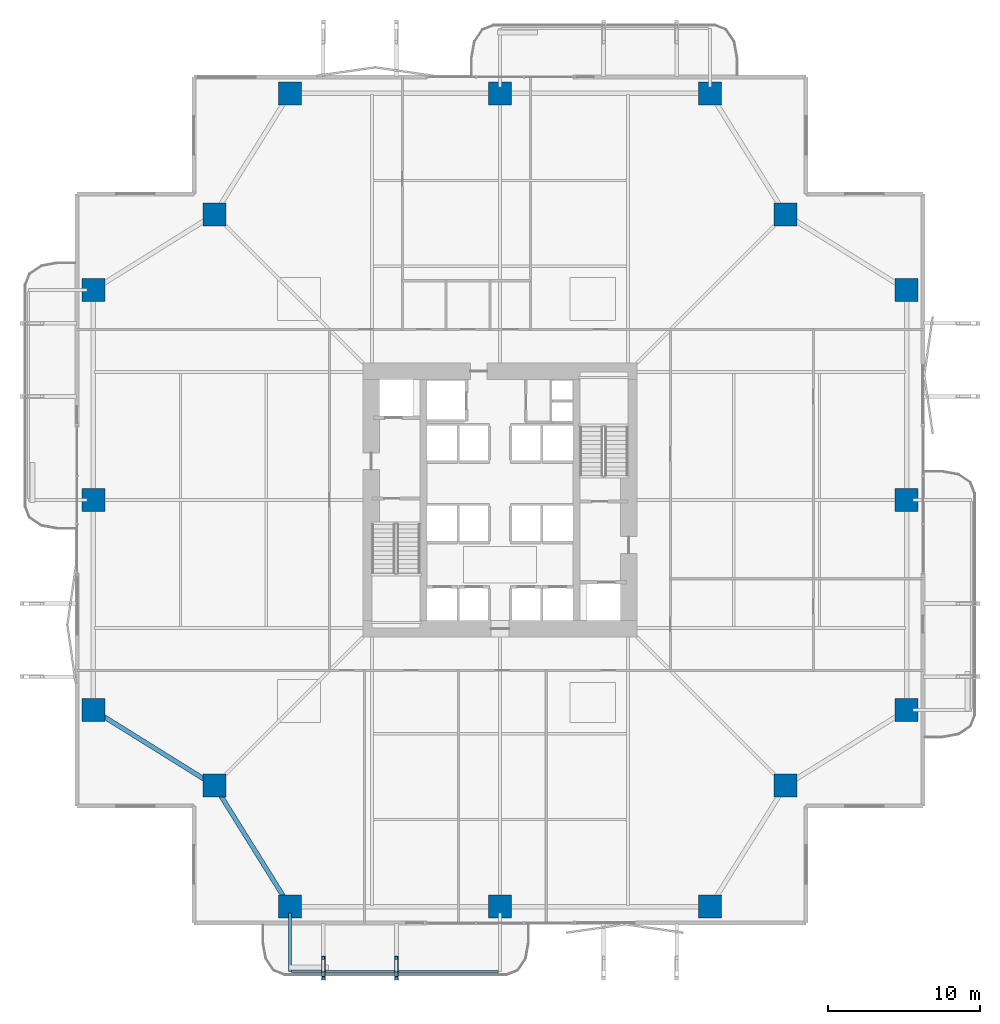
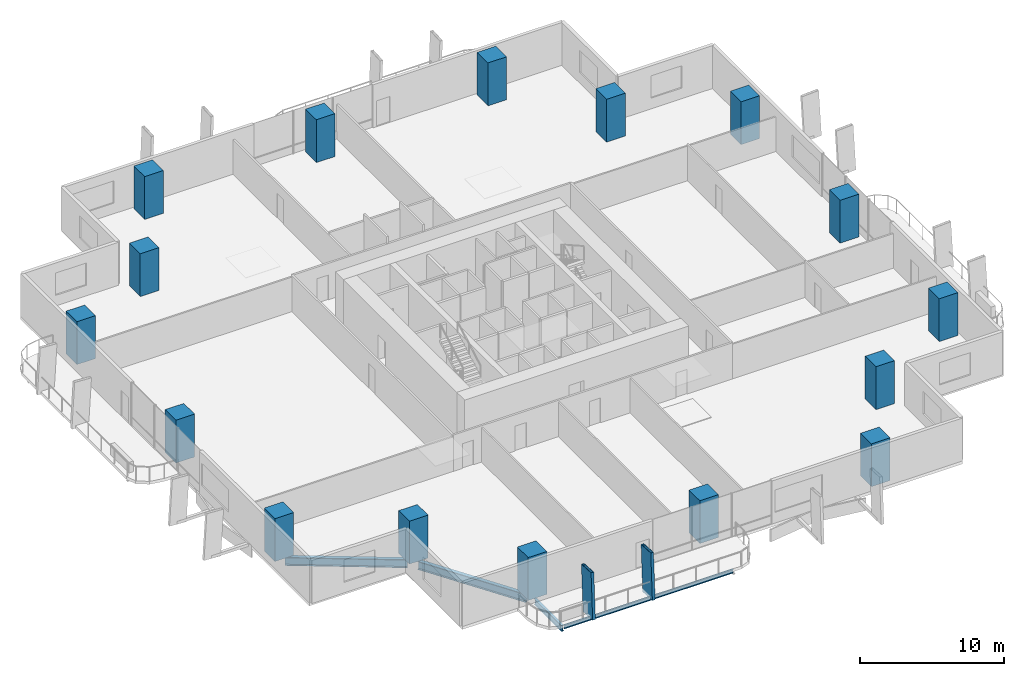
# One storey, part 1 of 23: 16 columns, 4 beams, 2 members.
"""IFC4 building model written with IfcOpenShell, lengths in metres."""

import ifcopenshell
import ifcopenshell.guid

model = None  # the IFC model being written
_history = None  # IfcOwnerHistory: only IFC2X3 demands one
_inside = {}  # id of a spatial element -> (the spatial element, [elements in it])
_under = {}  # id of a project, library or spatial element -> (it, [spatial elements below it])
_declared = {}  # id of a project -> (the project, [libraries it declares])
_typed = {}  # id of a type object -> (the type object, [elements of that type])
_made_of = {}  # id of a material, layer set ... -> (it, [elements and type objects made of it])


def new_model(schema):
    """Start an empty IFC model of exactly this schema.

    Asked for "IFC4X3", IfcOpenShell would pick the latest addendum, in which some entities
    have other attributes; the version numbers below select the first issue.
    IFC2X3 requires an IfcOwnerHistory on every rooted entity: one is made here for all.
    """
    global model, _history
    if schema == "IFC4X3":
        model = ifcopenshell.file(schema_version=(4, 3, 0, 0))
    else:
        model = ifcopenshell.file(schema=schema)
    _inside.clear()
    _under.clear()
    _declared.clear()
    _typed.clear()
    _made_of.clear()
    _history = None
    if model.schema == "IFC2X3":
        org = make("IfcOrganization", Name="unknown")
        user = make(
            "IfcPersonAndOrganization",
            ThePerson=make("IfcPerson", FamilyName="unknown"),
            TheOrganization=org,
        )
        app = make(
            "IfcApplication",
            ApplicationDeveloper=org,
            Version="unknown",
            ApplicationFullName="unknown",
            ApplicationIdentifier="unknown",
        )
        _history = make(
            "IfcOwnerHistory",
            OwningUser=user,
            OwningApplication=app,
            ChangeAction="ADDED",
            CreationDate=0,
        )
    return model


def make(cls, **values):
    """One entity of the class cls with the attributes given. An attribute that is None is left unset."""
    return model.create_entity(
        cls, **{name: value for name, value in values.items() if value is not None}
    )


def rooted(cls, **values):
    """An entity with a GlobalId (a new one), such as an element, a storey or a relation."""
    return make(cls, GlobalId=ifcopenshell.guid.new(), OwnerHistory=_history, **values)


def si_unit(unit_type, name, prefix=None):
    """IfcSIUnit, for example si_unit("LENGTHUNIT", "METRE", prefix="MILLI")."""
    return make("IfcSIUnit", UnitType=unit_type, Prefix=prefix, Name=name)


def assignment(units):
    """IfcUnitAssignment: the units of a project."""
    return None if units is None else make("IfcUnitAssignment", Units=units)


def point(xyz):
    """IfcCartesianPoint."""
    return None if xyz is None else make("IfcCartesianPoint", Coordinates=xyz)


def direction(xyz):
    """IfcDirection."""
    return None if xyz is None else make("IfcDirection", DirectionRatios=xyz)


def frame(location, z_axis=None, x_axis=None):
    """IfcAxis2Placement3D, a coordinate frame: its origin and axes. An axis left out is left unset."""
    return make(
        "IfcAxis2Placement3D",
        Location=point(location),
        Axis=direction(z_axis),
        RefDirection=direction(x_axis),
    )


def frame_2d(location, x_axis=None):
    """IfcAxis2Placement2D, a coordinate frame in the plane: its origin and x axis."""
    return make(
        "IfcAxis2Placement2D", Location=point(location), RefDirection=direction(x_axis)
    )


def origin():
    """The frame at (0, 0, 0) with its axes left unset."""
    return frame((0.0, 0.0, 0.0))


def origin_2d():
    """The frame at (0, 0) in the plane with its x axis left unset."""
    return frame_2d((0.0, 0.0))


def place(relative_to, where):
    """IfcLocalPlacement: puts the frame where relative to a parent placement (None: the world)."""
    return make(
        "IfcLocalPlacement", PlacementRelTo=relative_to, RelativePlacement=where
    )


def context(
    kind, dimensions, precision=None, world=None, true_north=None, identifier=None
):
    """IfcGeometricRepresentationContext, for example the 3D "Model" context."""
    return make(
        "IfcGeometricRepresentationContext",
        ContextIdentifier=identifier,
        ContextType=kind,
        CoordinateSpaceDimension=dimensions,
        Precision=precision,
        WorldCoordinateSystem=world,
        TrueNorth=true_north,
    )


def subcontext(parent, identifier, kind, view, scale=None):
    """IfcGeometricRepresentationSubContext, for example "Body" below "Model"."""
    return make(
        "IfcGeometricRepresentationSubContext",
        ContextIdentifier=identifier,
        ContextType=kind,
        ParentContext=parent,
        TargetScale=scale,
        TargetView=view,
    )


def project(units=None, contexts=None):
    """IfcProject with its units and contexts."""
    return rooted(
        "IfcProject",
        Name="project",
        RepresentationContexts=contexts,
        UnitsInContext=assignment(units),
    )


def spatial(cls, under=None, at=None, **own):
    """A site, building, storey or space (cls), placed at a placement, below another one or the project."""
    s = rooted(cls, ObjectPlacement=at, **own)
    if under is not None:
        _under.setdefault(under.id(), (under, []))[1].append(s)
    return s


def profile(cls, at=None, kind="AREA", **sizes):
    """A parametric profile (cls). Its sizes go by their IFC names, for example OverallWidth=200.0."""
    return make(cls, ProfileType=kind, Position=at, **sizes)


def rectangle(**sizes):
    """IfcRectangleProfileDef."""
    return profile("IfcRectangleProfileDef", **sizes)


def hollow_rectangle(**sizes):
    """IfcRectangleHollowProfileDef."""
    return profile("IfcRectangleHollowProfileDef", **sizes)


def i_section(**sizes):
    """IfcIShapeProfileDef."""
    return profile("IfcIShapeProfileDef", **sizes)


def extrude(swept, where, along, depth):
    """IfcExtrudedAreaSolid: the profile swept, set in the frame where, extruded along a direction by depth."""
    return make(
        "IfcExtrudedAreaSolid",
        SweptArea=swept,
        Position=where,
        ExtrudedDirection=direction(along),
        Depth=depth,
    )


def shape(context_of_items, identifier, shape_type, items):
    """IfcShapeRepresentation: the items that make up one representation, for example the "Body"."""
    return make(
        "IfcShapeRepresentation",
        ContextOfItems=context_of_items,
        RepresentationIdentifier=identifier,
        RepresentationType=shape_type,
        Items=items,
    )


def material(Name=None, Category=None):
    """IfcMaterial."""
    return make("IfcMaterial", Name=Name, Category=Category)


def material_profile(
    of_material, cross_section, Name=None, Category=None, Priority=None
):
    """IfcMaterialProfile: a cross section and its material."""
    return make(
        "IfcMaterialProfile",
        Name=Name,
        Material=of_material,
        Profile=cross_section,
        Priority=Priority,
        Category=Category,
    )


def profile_set(profiles, Name=None, composite=None):
    """IfcMaterialProfileSet."""
    return make(
        "IfcMaterialProfileSet",
        Name=Name,
        MaterialProfiles=profiles,
        CompositeProfile=composite,
    )


def made_of(thing, what):
    """Note that an element or type object is made of a material, layer set ...; save() writes the relation."""
    if what is not None:
        _made_of.setdefault(what.id(), (what, []))[1].append(thing)
    return thing


def type_object(cls, material=None, **own):
    """A type object (cls), such as IfcWallType, which elements share."""
    return made_of(rooted(cls, **own), material)


def element(
    cls,
    number,
    at=None,
    inside=None,
    cuts=None,
    type_object=None,
    material=None,
    context=None,
    identifier="Body",
    shape_type=None,
    held_by="IfcProductDefinitionShape",
    body=None,
    shapes=None,
    **own,
):
    """One element of the class cls, such as IfcWall. Its Tag is "e" and its number.

    at: its placement. inside: the storey or other place that contains it. cuts: it is an
    opening in that element (IfcRelVoidsElement). A single representation is given by context,
    identifier, shape_type and body (its items); several are given by shapes. held_by: the class
    of the entity that holds the representations. save() writes the other relations.
    """
    e = rooted(cls, Tag="e%d" % number, ObjectPlacement=at, **own)
    if body is not None:
        shapes = [shape(context, identifier, shape_type, body)]
    if shapes is not None:
        e.Representation = make(held_by, Representations=shapes)
    if inside is not None:
        _inside.setdefault(inside.id(), (inside, []))[1].append(e)
    if cuts is not None:
        rooted(
            "IfcRelVoidsElement", RelatingBuildingElement=cuts, RelatedOpeningElement=e
        )
    if type_object is not None:
        _typed.setdefault(type_object.id(), (type_object, []))[1].append(e)
    return made_of(e, material)


def aggregate(whole, parts):
    """IfcRelAggregates: a whole, such as a stair, and the parts it consists of."""
    return rooted("IfcRelAggregates", RelatingObject=whole, RelatedObjects=parts)


def save(model, path):
    """Write the relations noted so far, then the file.

    IfcRelAggregates (storeys below a building ...), IfcRelContainedInSpatialStructure (elements
    in a storey), IfcRelDefinesByType, IfcRelAssociatesMaterial and IfcRelDeclares: one each for
    every whole, place, type object, material and project.
    """
    for whole, parts in _under.values():
        aggregate(whole, parts)
    for where, things in _inside.values():
        rooted(
            "IfcRelContainedInSpatialStructure",
            RelatedElements=things,
            RelatingStructure=where,
        )
    for kind, things in _typed.values():
        rooted("IfcRelDefinesByType", RelatedObjects=things, RelatingType=kind)
    for what, things in _made_of.values():
        rooted("IfcRelAssociatesMaterial", RelatedObjects=things, RelatingMaterial=what)
    for by, libraries in _declared.values():
        rooted("IfcRelDeclares", RelatingContext=by, RelatedDefinitions=libraries)
    model.write(path)


model = new_model("IFC4")

# Units and contexts
model_context = context("Model", 3, precision=1e-05, world=origin(), true_north=direction((0.0, 1.0)))
body_context = subcontext(model_context, "Body", "Model", "MODEL_VIEW")
ifc_project = project(units=[si_unit("LENGTHUNIT", "METRE"), si_unit("AREAUNIT", "SQUARE_METRE"), si_unit("VOLUMEUNIT", "CUBIC_METRE"), si_unit("PLANEANGLEUNIT", "RADIAN"), si_unit("MASSUNIT", "GRAM", prefix="KILO")], contexts=[model_context])

# Site, building, storey
site_placement = place(None, origin())
site = spatial("IfcSite", under=ifc_project, at=site_placement, CompositionType="ELEMENT")
building_placement = place(site_placement, origin())
building = spatial("IfcBuilding", under=site, at=building_placement, Name="Belovzor Exchange Tower", CompositionType="ELEMENT")
storey_placement = place(building_placement, frame((0.0, 0.0, 41.699951171875)))
storey = spatial("IfcBuildingStorey", under=building, at=storey_placement, Name="L09", CompositionType="ELEMENT", Elevation=41.699951171875)

# Columns
ifc_material_1 = material(Name="Concrete C60/75", Category="concrete")
ifc_material_profile_1 = material_profile(ifc_material_1, rectangle(XDim=1.5, YDim=1.5, at=origin_2d()))
ifc_profile_set_1 = profile_set([ifc_material_profile_1], Name="Concrete C60/75")
column_type = type_object("IfcColumnType", Name="Reinforced Concrete Tower Column 1500x1500", PredefinedType="COLUMN", material=ifc_profile_set_1)
for number, where, z_axis, x_axis, name in (
    (1, (15.0, 2.10009765625, 0.0029296875), (0.0, 0.0, 1.0), (1.0, 0.0, 0.0), "COL-T150 Reinforced Concrete Tower Column 1500x1500"),
    (2, (28.800048828125, 2.10009765625, 0.0029296875), (0.0, 0.0, 1.0), (1.0, 0.0, 0.0), "COL-T150 Reinforced Concrete Tower Column 1500x1500"),
    (3, (42.60009765625, 2.10009765625, 0.0029296875), (0.0, 0.0, 1.0), (1.0, 0.0, 0.0), "COL-T150 Reinforced Concrete Tower Column 1500x1500"),
    (4, (55.5, 15.0, 0.0029296875), (0.0, 0.0, 1.0), (1.0, 0.0, 0.0), "COL-T150 Reinforced Concrete Tower Column 1500x1500"),
    (5, (55.5, 28.800048828125, 0.0029296875), (0.0, 0.0, 1.0), (1.0, 0.0, 0.0), "COL-T150 Reinforced Concrete Tower Column 1500x1500"),
    (6, (55.5, 42.60009765625, 0.0029296875), (0.0, 0.0, 1.0), (1.0, 0.0, 0.0), "COL-T150 Reinforced Concrete Tower Column 1500x1500"),
    (7, (42.60009765625, 55.5, 0.0029296875), (0.0, 0.0, 1.0), (1.0, 0.0, 0.0), "COL-T150 Reinforced Concrete Tower Column 1500x1500"),
    (8, (28.800048828125, 55.5, 0.0029296875), (0.0, 0.0, 1.0), (1.0, 0.0, 0.0), "COL-T150 Reinforced Concrete Tower Column 1500x1500"),
    (9, (15.0, 55.5, 0.0029296875), (0.0, 0.0, 1.0), (1.0, 0.0, 0.0), "COL-T150 Reinforced Concrete Tower Column 1500x1500"),
    (10, (2.10009765625, 42.60009765625, 0.0029296875), (0.0, 0.0, 1.0), (1.0, 0.0, 0.0), "COL-T150 Reinforced Concrete Tower Column 1500x1500"),
    (11, (2.10009765625, 28.800048828125, 0.0029296875), (0.0, 0.0, 1.0), (1.0, 0.0, 0.0), "COL-T150 Reinforced Concrete Tower Column 1500x1500"),
    (12, (2.10009765625, 15.0, 0.0029296875), (0.0, 0.0, 1.0), (1.0, 0.0, 0.0), "COL-T150 Reinforced Concrete Tower Column 1500x1500"),
    (13, (10.050048828125, 10.050048828125, 0.0029296875), (0.0, 0.0, 1.0), (1.0, 0.0, 0.0), "COL-T150 Reinforced Concrete Tower Column 1500x1500"),
    (14, (47.550048828125, 10.050048828125, 0.0029296875), (0.0, 0.0, 1.0), (1.0, 0.0, 0.0), "COL-T150 Reinforced Concrete Tower Column 1500x1500"),
    (15, (47.550048828125, 47.550048828125, 0.0029296875), (0.0, 0.0, 1.0), (1.0, 0.0, 0.0), "COL-T150 Reinforced Concrete Tower Column 1500x1500"),
    (16, (10.050048828125, 47.550048828125, 0.0029296875), (0.0, 0.0, 1.0), (1.0, 0.0, 0.0), "COL-T150 Reinforced Concrete Tower Column 1500x1500"),
):
    element("IfcColumn", number, at=place(storey_placement, frame(where, z_axis=z_axis, x_axis=x_axis)), inside=storey, type_object=column_type, Name=name, PredefinedType="COLUMN", context=body_context, shape_type="SweptSolid", body=[
        extrude(rectangle(XDim=1.5, YDim=1.5, at=origin_2d()), origin(), (0.0, 0.0, 1.0), 3.64404296875),
    ])

# Members
ifc_material_2 = material(Name="Extruded Architectural Terracotta on Steel S355 Carrier", Category="masonry")
ifc_material_profile_2 = material_profile(ifc_material_2, hollow_rectangle(XDim=0.219970703125, YDim=1.35009765625, WallThickness=0.013916015625, at=origin_2d()))
ifc_profile_set_2 = profile_set([ifc_material_profile_2], Name="Extruded Architectural Terracotta on Steel S355 Carrier")
member_type = type_object("IfcMemberType", Name="Base Arc Sweeping Terracotta Pylon Fin 1450", PredefinedType="USERDEFINED", material=ifc_profile_set_2)
for number, where, z_axis, x_axis, name in (
    (17, (17.199951171875, -2.0458984375, -0.25), (0.0, 0.05755700694, 0.998342221361), (-1.0, 0.0, 0.0), "FIN-TC145 Terracotta Facade Fin L09 S1"),
    (18, (22.0, -2.0458984375, -0.25), (0.0, 0.05755700694, 0.998342221361), (-1.0, 0.0, 0.0), "FIN-TC145 Terracotta Facade Fin L09 S2"),
):
    element("IfcMember", number, at=place(storey_placement, frame(where, z_axis=z_axis, x_axis=x_axis)), inside=storey, type_object=member_type, Name=name, ObjectType="FIN", PredefinedType="USERDEFINED", context=body_context, shape_type="SweptSolid", body=[
        extrude(hollow_rectangle(XDim=0.219970703125, YDim=1.35009765625, WallThickness=0.013916015625, at=origin_2d()), origin(), (0.0, 0.0, 1.0), 3.90673828125),
    ])

# Beams
ifc_material_3 = material(Name="Steel S355", Category="steel")
ifc_material_profile_3 = material_profile(ifc_material_3, i_section(OverallWidth=0.199951171875, OverallDepth=0.5, WebThickness=0.01025390625, FlangeThickness=0.01611328125, at=origin_2d()))
ifc_profile_set_3 = profile_set([ifc_material_profile_3], Name="Steel S355")
beam_type_1 = type_object("IfcBeamType", Name="Planted Balcony Cantilever Beam IPE 500", PredefinedType="BEAM", material=ifc_profile_set_3)
beam_1_placement = place(storey_placement, frame((15.0, 1.68798828125, -0.5), z_axis=(0.0, -1.0, 0.0), x_axis=(1.0, 0.0, 0.0)))
element("IfcBeam", 19, at=beam_1_placement, inside=storey, type_object=beam_type_1, Name="BC-500 Planted Balcony Cantilever Beam IPE 500", PredefinedType="BEAM", context=body_context, shape_type="SweptSolid", body=[
    extrude(i_section(OverallWidth=0.199951171875, OverallDepth=0.5, WebThickness=0.01025390625, FlangeThickness=0.01611328125, at=origin_2d()), origin(), (0.0, 0.0, 1.0), 3.85009765625),
])
ifc_material_4 = material(Name="Steel S355", Category="steel")
ifc_material_profile_4 = material_profile(ifc_material_4, i_section(OverallWidth=0.14990234375, OverallDepth=0.300048828125, WebThickness=0.007080078125, FlangeThickness=0.0107421875, at=origin_2d()))
ifc_profile_set_4 = profile_set([ifc_material_profile_4], Name="Steel S355")
beam_type_2 = type_object("IfcBeamType", Name="Planted Balcony Fascia Edge Beam IPE 300", PredefinedType="BEAM", material=ifc_profile_set_4)
beam_2_placement = place(storey_placement, frame((15.10009765625, -2.162109375, -0.39990234375), z_axis=(1.0, 0.0, 0.0), x_axis=(0.0, 1.0, 0.0)))
element("IfcBeam", 20, at=beam_2_placement, inside=storey, type_object=beam_type_2, Name="BC-300 Planted Balcony Fascia Edge Beam IPE 300", PredefinedType="BEAM", context=body_context, shape_type="SweptSolid", body=[
    extrude(i_section(OverallWidth=0.14990234375, OverallDepth=0.300048828125, WebThickness=0.007080078125, FlangeThickness=0.0107421875, at=origin_2d()), origin(), (0.0, 0.0, 1.0), 13.599853515625),
])
ifc_material_5 = material(Name="Steel S355", Category="steel")
ifc_material_profile_5 = material_profile(ifc_material_5, i_section(OverallWidth=0.300048828125, OverallDepth=0.699951171875, WebThickness=0.01708984375, FlangeThickness=0.031982421875, at=origin_2d()))
ifc_profile_set_5 = profile_set([ifc_material_profile_5], Name="Steel S355")
beam_type_3 = type_object("IfcBeamType", Name="Zone 1 Primary Perimeter Girder HEB 700", PredefinedType="BEAM", material=ifc_profile_set_5)
for number, where, z_axis, x_axis, name in (
    (21, (10.26806640625, 9.699951171875, -0.599853515625), (0.528538629686, -0.848909251292, 0.0), (0.848909251292, 0.528538629686, 0.0), "FG-Z1 Zone 1 Primary Perimeter Girder HEB 700"),
    (22, (2.449951171875, 14.781982421875, -0.599853515625), (0.848909251292, -0.528538629686, 0.0), (0.528538629686, 0.848909251292, 0.0), "FG-Z1 Zone 1 Primary Perimeter Girder HEB 700"),
):
    element("IfcBeam", number, at=place(storey_placement, frame(where, z_axis=z_axis, x_axis=x_axis)), inside=storey, type_object=beam_type_3, Name=name, PredefinedType="BEAM", context=body_context, shape_type="SweptSolid", body=[
        extrude(i_section(OverallWidth=0.300048828125, OverallDepth=0.699951171875, WebThickness=0.01708984375, FlangeThickness=0.031982421875, at=origin_2d()), origin(), (0.0, 0.0, 1.0), 8.540283203125),
    ])

save(model, "model.ifc")
